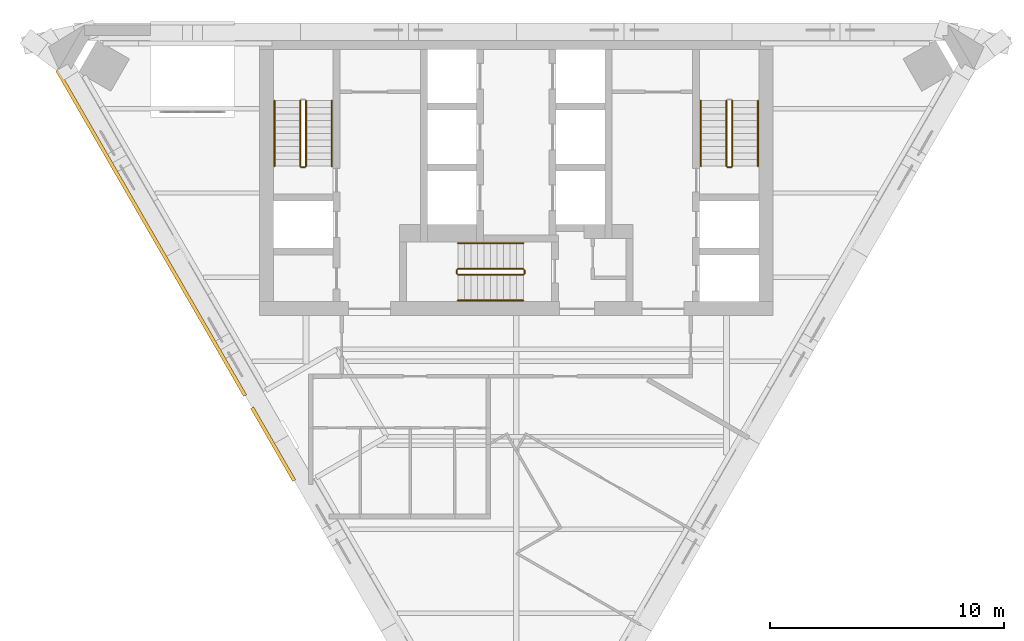
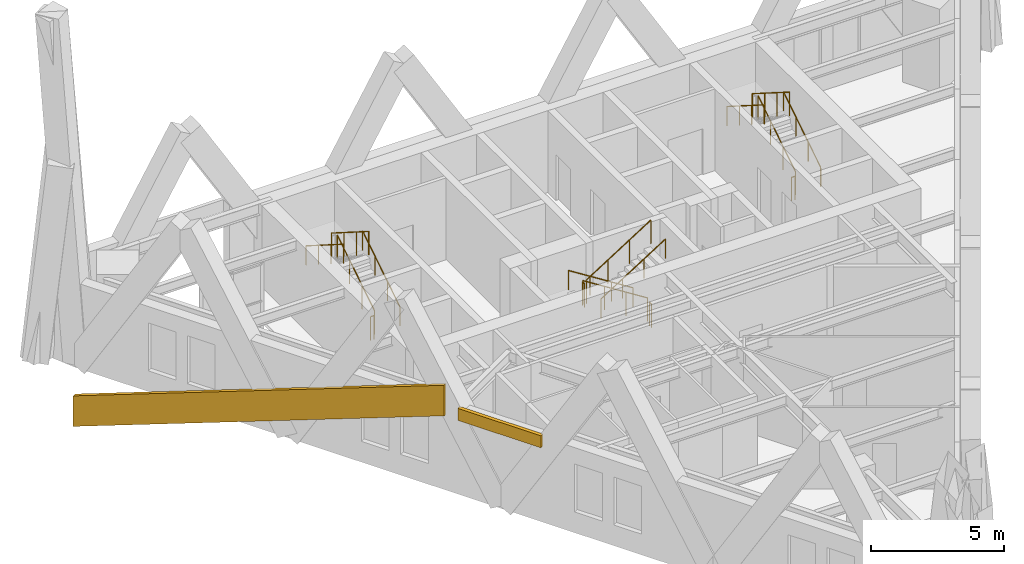
# One storey, part 8 of 9: 16 railings, 2 coverings.
"""IFC4 building model written with IfcOpenShell, lengths in metres."""

from ifc_helpers import new_model, si_unit, direction, frame, origin, origin_2d, place, context, subcontext, project, spatial, polyline, circle, outline, extrude, material, layer, layer_set, type_object, element, save


model = new_model("IFC4")

# Units and contexts
model_context = context("Model", 3, precision=1e-05, world=origin(), true_north=direction((0.0, 1.0)))
body_context = subcontext(model_context, "Body", "Model", "MODEL_VIEW")
ifc_project = project(units=[si_unit("LENGTHUNIT", "METRE"), si_unit("AREAUNIT", "SQUARE_METRE"), si_unit("VOLUMEUNIT", "CUBIC_METRE"), si_unit("PLANEANGLEUNIT", "RADIAN"), si_unit("MASSUNIT", "GRAM", prefix="KILO")], contexts=[model_context])

# Site, building, storey
site_placement = place(None, origin())
site = spatial("IfcSite", under=ifc_project, at=site_placement, CompositionType="ELEMENT")
building_placement = place(site_placement, origin())
building = spatial("IfcBuilding", under=site, at=building_placement, Name="Aloe Facet Convention Tower", CompositionType="ELEMENT")
storey_placement = place(building_placement, frame((0.0, 0.0, 254.300048828125)))
storey = spatial("IfcBuildingStorey", under=building, at=storey_placement, Name="L62", CompositionType="ELEMENT", Elevation=254.300048828125)

# Railings
ifc_material_1 = material(Name="Steel S355 balustrade", Category="steel")
railing_type_1 = type_object("IfcRailingType", Name="CR-RL-GUARD", PredefinedType="GUARDRAIL", material=ifc_material_1)
railing_1_placement = place(storey_placement, frame((71.0, 128.949951171875, 0.17724609375)))
element("IfcRailing", 1, at=railing_1_placement, inside=storey, type_object=railing_type_1, Name="L62 ST1 stair guard 1", PredefinedType="GUARDRAIL", context=body_context, shape_type="SweptSolid", body=[
    extrude(circle(Radius=0.02392578125, at=origin_2d()), frame((0.0, 0.0, 1.076171875), z_axis=(0.0, 0.844908973607, 0.534910110503), x_axis=(-1.0, 0.0, 0.0)), (0.0, 0.0, 1.0), 3.31396484375),
    extrude(circle(Radius=0.02099609375, at=origin_2d()), origin(), (0.0, 0.0, 1.0), 1.052001953125),
    extrude(circle(Radius=0.02099609375, at=origin_2d()), frame((0.0, 0.933349609375, 0.5908203125)), (0.0, 0.0, 1.0), 1.052001953125),
    extrude(circle(Radius=0.02099609375, at=origin_2d()), frame((0.0, 1.86669921875, 1.181884765625)), (0.0, 0.0, 1.0), 1.052001953125),
    extrude(circle(Radius=0.02099609375, at=origin_2d()), frame((0.0, 2.800048828125, 1.772705078125)), (0.0, 0.0, 1.0), 1.052001953125),
])
railing_2_placement = place(storey_placement, frame((70.75, 131.75, 2.127197265625)))
element("IfcRailing", 2, at=railing_2_placement, inside=storey, type_object=railing_type_1, Name="L62 ST1 stair guard 3", PredefinedType="GUARDRAIL", context=body_context, shape_type="SweptSolid", body=[
    extrude(circle(Radius=0.02392578125, at=origin_2d()), frame((0.0, 0.0, 1.076171875), z_axis=(0.0, -0.844908973607, 0.534910110503), x_axis=(1.0, 0.0, 0.0)), (0.0, 0.0, 1.0), 3.31396484375),
    extrude(circle(Radius=0.02099609375, at=origin_2d()), origin(), (0.0, 0.0, 1.0), 1.052001953125),
    extrude(circle(Radius=0.02099609375, at=origin_2d()), frame((0.0, -0.933349609375, 0.5908203125)), (0.0, 0.0, 1.0), 1.052001953125),
    extrude(circle(Radius=0.02099609375, at=origin_2d()), frame((0.0, -1.86669921875, 1.181884765625)), (0.0, 0.0, 1.0), 1.052001953125),
    extrude(circle(Radius=0.02099609375, at=origin_2d()), frame((0.0, -2.800048828125, 1.772705078125)), (0.0, 0.0, 1.0), 1.052001953125),
])
railing_3_placement = place(storey_placement, frame((70.949951171875, 128.89990234375, 0.0)))
element("IfcRailing", 3, at=railing_3_placement, inside=storey, type_object=railing_type_1, Name="L62 ST1 stair guard 4", PredefinedType="GUARDRAIL", context=body_context, shape_type="SweptSolid", body=[
    extrude(circle(Radius=0.02392578125, at=origin_2d()), frame((0.0, 0.0, 1.076171875), z_axis=(-1.0, 0.0, 0.0), x_axis=(0.0, -1.0, 0.0)), (0.0, 0.0, 1.0), 0.14990234375),
    extrude(circle(Radius=0.02099609375, at=origin_2d()), origin(), (0.0, 0.0, 1.0), 1.052001953125),
    extrude(circle(Radius=0.02099609375, at=origin_2d()), frame((-0.14990234375, 0.0, 0.0)), (0.0, 0.0, 1.0), 1.052001953125),
])
railing_4_placement = place(storey_placement, frame((89.25, 128.949951171875, 0.17724609375)))
element("IfcRailing", 4, at=railing_4_placement, inside=storey, type_object=railing_type_1, Name="L62 ST2 stair guard 1", PredefinedType="GUARDRAIL", context=body_context, shape_type="SweptSolid", body=[
    extrude(circle(Radius=0.02392578125, at=origin_2d()), frame((0.0, 0.0, 1.076171875), z_axis=(0.0, 0.844908973607, 0.534910110503), x_axis=(-1.0, 0.0, 0.0)), (0.0, 0.0, 1.0), 3.31396484375),
    extrude(circle(Radius=0.02099609375, at=origin_2d()), origin(), (0.0, 0.0, 1.0), 1.052001953125),
    extrude(circle(Radius=0.02099609375, at=origin_2d()), frame((0.0, 0.933349609375, 0.5908203125)), (0.0, 0.0, 1.0), 1.052001953125),
    extrude(circle(Radius=0.02099609375, at=origin_2d()), frame((0.0, 1.86669921875, 1.181884765625)), (0.0, 0.0, 1.0), 1.052001953125),
    extrude(circle(Radius=0.02099609375, at=origin_2d()), frame((0.0, 2.800048828125, 1.772705078125)), (0.0, 0.0, 1.0), 1.052001953125),
])
railing_5_placement = place(storey_placement, frame((89.0, 131.75, 2.127197265625)))
element("IfcRailing", 5, at=railing_5_placement, inside=storey, type_object=railing_type_1, Name="L62 ST2 stair guard 3", PredefinedType="GUARDRAIL", context=body_context, shape_type="SweptSolid", body=[
    extrude(circle(Radius=0.02392578125, at=origin_2d()), frame((0.0, 0.0, 1.076171875), z_axis=(0.0, -0.844908973607, 0.534910110503), x_axis=(1.0, 0.0, 0.0)), (0.0, 0.0, 1.0), 3.31396484375),
    extrude(circle(Radius=0.02099609375, at=origin_2d()), origin(), (0.0, 0.0, 1.0), 1.052001953125),
    extrude(circle(Radius=0.02099609375, at=origin_2d()), frame((0.0, -0.933349609375, 0.5908203125)), (0.0, 0.0, 1.0), 1.052001953125),
    extrude(circle(Radius=0.02099609375, at=origin_2d()), frame((0.0, -1.86669921875, 1.181884765625)), (0.0, 0.0, 1.0), 1.052001953125),
    extrude(circle(Radius=0.02099609375, at=origin_2d()), frame((0.0, -2.800048828125, 1.772705078125)), (0.0, 0.0, 1.0), 1.052001953125),
])
railing_6_placement = place(storey_placement, frame((89.199951171875, 128.89990234375, 0.0)))
element("IfcRailing", 6, at=railing_6_placement, inside=storey, type_object=railing_type_1, Name="L62 ST2 stair guard 4", PredefinedType="GUARDRAIL", context=body_context, shape_type="SweptSolid", body=[
    extrude(circle(Radius=0.02392578125, at=origin_2d()), frame((0.0, 0.0, 1.076171875), z_axis=(-1.0, 0.0, 0.0), x_axis=(0.0, -1.0, 0.0)), (0.0, 0.0, 1.0), 0.14990234375),
    extrude(circle(Radius=0.02099609375, at=origin_2d()), origin(), (0.0, 0.0, 1.0), 1.052001953125),
    extrude(circle(Radius=0.02099609375, at=origin_2d()), frame((-0.14990234375, 0.0, 0.0)), (0.0, 0.0, 1.0), 1.052001953125),
])
railing_7_placement = place(storey_placement, frame((80.300048828125, 124.550048828125, 0.17724609375)))
element("IfcRailing", 7, at=railing_7_placement, inside=storey, type_object=railing_type_1, Name="L62 ST3 stair guard 1", PredefinedType="GUARDRAIL", context=body_context, shape_type="SweptSolid", body=[
    extrude(circle(Radius=0.02392578125, at=origin_2d()), frame((0.0, 0.0, 1.076171875), z_axis=(-0.844908973607, 0.0, 0.534910110503), x_axis=(0.0, -1.0, 0.0)), (0.0, 0.0, 1.0), 3.31396484375),
    extrude(circle(Radius=0.02099609375, at=origin_2d()), origin(), (0.0, 0.0, 1.0), 1.052001953125),
    extrude(circle(Radius=0.02099609375, at=origin_2d()), frame((-0.933349609375, 0.0, 0.5908203125)), (0.0, 0.0, 1.0), 1.052001953125),
    extrude(circle(Radius=0.02099609375, at=origin_2d()), frame((-1.86669921875, 0.0, 1.181884765625)), (0.0, 0.0, 1.0), 1.052001953125),
    extrude(circle(Radius=0.02099609375, at=origin_2d()), frame((-2.800048828125, 0.0, 1.772705078125)), (0.0, 0.0, 1.0), 1.052001953125),
])
railing_8_placement = place(storey_placement, frame((77.449951171875, 124.5, 1.949951171875)))
element("IfcRailing", 8, at=railing_8_placement, inside=storey, type_object=railing_type_1, Name="L62 ST3 stair guard 2", PredefinedType="GUARDRAIL", context=body_context, shape_type="SweptSolid", body=[
    extrude(circle(Radius=0.02392578125, at=origin_2d()), frame((0.0, 0.0, 1.076171875), z_axis=(0.0, -1.0, 0.0), x_axis=(1.0, 0.0, 0.0)), (0.0, 0.0, 1.0), 0.14990234375),
    extrude(circle(Radius=0.02099609375, at=origin_2d()), origin(), (0.0, 0.0, 1.0), 1.052001953125),
    extrude(circle(Radius=0.02099609375, at=origin_2d()), frame((0.0, -0.14990234375, 0.0)), (0.0, 0.0, 1.0), 1.052001953125),
])
railing_9_placement = place(storey_placement, frame((77.5, 124.300048828125, 2.127197265625)))
element("IfcRailing", 9, at=railing_9_placement, inside=storey, type_object=railing_type_1, Name="L62 ST3 stair guard 3", PredefinedType="GUARDRAIL", context=body_context, shape_type="SweptSolid", body=[
    extrude(circle(Radius=0.02392578125, at=origin_2d()), frame((0.0, 0.0, 1.076171875), z_axis=(0.844908973607, 0.0, 0.534910110503), x_axis=(0.0, 1.0, 0.0)), (0.0, 0.0, 1.0), 3.31396484375),
    extrude(circle(Radius=0.02099609375, at=origin_2d()), origin(), (0.0, 0.0, 1.0), 1.052001953125),
    extrude(circle(Radius=0.02099609375, at=origin_2d()), frame((0.933349609375, 0.0, 0.5908203125)), (0.0, 0.0, 1.0), 1.052001953125),
    extrude(circle(Radius=0.02099609375, at=origin_2d()), frame((1.86669921875, 0.0, 1.181884765625)), (0.0, 0.0, 1.0), 1.052001953125),
    extrude(circle(Radius=0.02099609375, at=origin_2d()), frame((2.800048828125, 0.0, 1.772705078125)), (0.0, 0.0, 1.0), 1.052001953125),
])
railing_10_placement = place(storey_placement, frame((80.35009765625, 124.5, 0.0)))
element("IfcRailing", 10, at=railing_10_placement, inside=storey, type_object=railing_type_1, Name="L62 ST3 stair guard 4", PredefinedType="GUARDRAIL", context=body_context, shape_type="SweptSolid", body=[
    extrude(circle(Radius=0.02392578125, at=origin_2d()), frame((0.0, 0.0, 1.076171875), z_axis=(0.0, -1.0, 0.0), x_axis=(1.0, 0.0, 0.0)), (0.0, 0.0, 1.0), 0.14990234375),
    extrude(circle(Radius=0.02099609375, at=origin_2d()), origin(), (0.0, 0.0, 1.0), 1.052001953125),
    extrude(circle(Radius=0.02099609375, at=origin_2d()), frame((0.0, -0.14990234375, 0.0)), (0.0, 0.0, 1.0), 1.052001953125),
])
ifc_material_2 = material(Name="Steel S355 handrail", Category="steel")
railing_type_2 = type_object("IfcRailingType", Name="CR-RL-HAND", PredefinedType="HANDRAIL", material=ifc_material_2)
railing_11_placement = place(storey_placement, frame((72.10009765625, 128.949951171875, 0.17724609375)))
element("IfcRailing", 11, at=railing_11_placement, inside=storey, type_object=railing_type_2, Name="L62 ST1 stair handrail 1", PredefinedType="HANDRAIL", context=body_context, shape_type="SweptSolid", body=[
    extrude(circle(Radius=0.02392578125, at=origin_2d()), frame((0.0, 0.0, 0.8759765625), z_axis=(0.0, 0.844908973607, 0.534910110503), x_axis=(-1.0, 0.0, 0.0)), (0.0, 0.0, 1.0), 3.31396484375),
    extrude(circle(Radius=0.02099609375, at=origin_2d()), origin(), (0.0, 0.0, 1.0), 0.851806640625),
    extrude(circle(Radius=0.02099609375, at=origin_2d()), frame((0.0, 0.933349609375, 0.5908203125)), (0.0, 0.0, 1.0), 0.851806640625),
    extrude(circle(Radius=0.02099609375, at=origin_2d()), frame((0.0, 1.86669921875, 1.181884765625)), (0.0, 0.0, 1.0), 0.851806640625),
    extrude(circle(Radius=0.02099609375, at=origin_2d()), frame((0.0, 2.800048828125, 1.772705078125)), (0.0, 0.0, 1.0), 0.851806640625),
])
railing_12_placement = place(storey_placement, frame((69.64990234375, 131.75, 2.127197265625)))
element("IfcRailing", 12, at=railing_12_placement, inside=storey, type_object=railing_type_2, Name="L62 ST1 stair handrail 2", PredefinedType="HANDRAIL", context=body_context, shape_type="SweptSolid", body=[
    extrude(circle(Radius=0.02392578125, at=origin_2d()), frame((0.0, 0.0, 0.8759765625), z_axis=(0.0, -0.844908973607, 0.534910110503), x_axis=(1.0, 0.0, 0.0)), (0.0, 0.0, 1.0), 3.31396484375),
    extrude(circle(Radius=0.02099609375, at=origin_2d()), origin(), (0.0, 0.0, 1.0), 0.851806640625),
    extrude(circle(Radius=0.02099609375, at=origin_2d()), frame((0.0, -0.933349609375, 0.5908203125)), (0.0, 0.0, 1.0), 0.851806640625),
    extrude(circle(Radius=0.02099609375, at=origin_2d()), frame((0.0, -1.86669921875, 1.181884765625)), (0.0, 0.0, 1.0), 0.851806640625),
    extrude(circle(Radius=0.02099609375, at=origin_2d()), frame((0.0, -2.800048828125, 1.772705078125)), (0.0, 0.0, 1.0), 0.851806640625),
])
railing_13_placement = place(storey_placement, frame((90.35009765625, 128.949951171875, 0.17724609375)))
element("IfcRailing", 13, at=railing_13_placement, inside=storey, type_object=railing_type_2, Name="L62 ST2 stair handrail 1", PredefinedType="HANDRAIL", context=body_context, shape_type="SweptSolid", body=[
    extrude(circle(Radius=0.02392578125, at=origin_2d()), frame((0.0, 0.0, 0.8759765625), z_axis=(0.0, 0.844908973607, 0.534910110503), x_axis=(-1.0, 0.0, 0.0)), (0.0, 0.0, 1.0), 3.31396484375),
    extrude(circle(Radius=0.02099609375, at=origin_2d()), origin(), (0.0, 0.0, 1.0), 0.851806640625),
    extrude(circle(Radius=0.02099609375, at=origin_2d()), frame((0.0, 0.933349609375, 0.5908203125)), (0.0, 0.0, 1.0), 0.851806640625),
    extrude(circle(Radius=0.02099609375, at=origin_2d()), frame((0.0, 1.86669921875, 1.181884765625)), (0.0, 0.0, 1.0), 0.851806640625),
    extrude(circle(Radius=0.02099609375, at=origin_2d()), frame((0.0, 2.800048828125, 1.772705078125)), (0.0, 0.0, 1.0), 0.851806640625),
])
railing_14_placement = place(storey_placement, frame((87.89990234375, 131.75, 2.127197265625)))
element("IfcRailing", 14, at=railing_14_placement, inside=storey, type_object=railing_type_2, Name="L62 ST2 stair handrail 2", PredefinedType="HANDRAIL", context=body_context, shape_type="SweptSolid", body=[
    extrude(circle(Radius=0.02392578125, at=origin_2d()), frame((0.0, 0.0, 0.8759765625), z_axis=(0.0, -0.844908973607, 0.534910110503), x_axis=(1.0, 0.0, 0.0)), (0.0, 0.0, 1.0), 3.31396484375),
    extrude(circle(Radius=0.02099609375, at=origin_2d()), origin(), (0.0, 0.0, 1.0), 0.851806640625),
    extrude(circle(Radius=0.02099609375, at=origin_2d()), frame((0.0, -0.933349609375, 0.5908203125)), (0.0, 0.0, 1.0), 0.851806640625),
    extrude(circle(Radius=0.02099609375, at=origin_2d()), frame((0.0, -1.86669921875, 1.181884765625)), (0.0, 0.0, 1.0), 0.851806640625),
    extrude(circle(Radius=0.02099609375, at=origin_2d()), frame((0.0, -2.800048828125, 1.772705078125)), (0.0, 0.0, 1.0), 0.851806640625),
])
railing_15_placement = place(storey_placement, frame((80.300048828125, 125.64990234375, 0.17724609375)))
element("IfcRailing", 15, at=railing_15_placement, inside=storey, type_object=railing_type_2, Name="L62 ST3 stair handrail 1", PredefinedType="HANDRAIL", context=body_context, shape_type="SweptSolid", body=[
    extrude(circle(Radius=0.02392578125, at=origin_2d()), frame((0.0, 0.0, 0.8759765625), z_axis=(-0.844908973607, 0.0, 0.534910110503), x_axis=(0.0, -1.0, 0.0)), (0.0, 0.0, 1.0), 3.31396484375),
    extrude(circle(Radius=0.02099609375, at=origin_2d()), origin(), (0.0, 0.0, 1.0), 0.851806640625),
    extrude(circle(Radius=0.02099609375, at=origin_2d()), frame((-0.933349609375, 0.0, 0.5908203125)), (0.0, 0.0, 1.0), 0.851806640625),
    extrude(circle(Radius=0.02099609375, at=origin_2d()), frame((-1.86669921875, 0.0, 1.181884765625)), (0.0, 0.0, 1.0), 0.851806640625),
    extrude(circle(Radius=0.02099609375, at=origin_2d()), frame((-2.800048828125, 0.0, 1.772705078125)), (0.0, 0.0, 1.0), 0.851806640625),
])
railing_16_placement = place(storey_placement, frame((77.5, 123.199951171875, 2.127197265625)))
element("IfcRailing", 16, at=railing_16_placement, inside=storey, type_object=railing_type_2, Name="L62 ST3 stair handrail 2", PredefinedType="HANDRAIL", context=body_context, shape_type="SweptSolid", body=[
    extrude(circle(Radius=0.02392578125, at=origin_2d()), frame((0.0, 0.0, 0.8759765625), z_axis=(0.844908973607, 0.0, 0.534910110503), x_axis=(0.0, 1.0, 0.0)), (0.0, 0.0, 1.0), 3.31396484375),
    extrude(circle(Radius=0.02099609375, at=origin_2d()), origin(), (0.0, 0.0, 1.0), 0.851806640625),
    extrude(circle(Radius=0.02099609375, at=origin_2d()), frame((0.933349609375, 0.0, 0.5908203125)), (0.0, 0.0, 1.0), 0.851806640625),
    extrude(circle(Radius=0.02099609375, at=origin_2d()), frame((1.86669921875, 0.0, 1.181884765625)), (0.0, 0.0, 1.0), 0.851806640625),
    extrude(circle(Radius=0.02099609375, at=origin_2d()), frame((2.800048828125, 0.0, 1.772705078125)), (0.0, 0.0, 1.0), 0.851806640625),
])

# Coverings
ifc_material_3 = material(Name="Bronze oxide fascia sheet")
ifc_layer = layer(ifc_material_3, 0.14990234375)
ifc_layer_set = layer_set([ifc_layer], Name="EV-FASCIA-TERR")
covering_type = type_object("IfcCoveringType", Name="EV-FASCIA-TERR", PredefinedType="CLADDING", material=ifc_layer_set)
covering_1_placement = place(storey_placement, frame((0.0, 0.0, 3.349853515625)))
element("IfcCovering", 17, at=covering_1_placement, inside=storey, type_object=covering_type, Name="Terrace fascia T14 sill", PredefinedType="CLADDING", context=body_context, shape_type="SweptSolid", body=[
    extrude(outline(polyline([(68.626953125, 118.569091796875), (70.427001953125, 115.451416015625), (70.556884765625, 115.5263671875), (68.7568359375, 118.64404296875), (68.626953125, 118.569091796875)])), origin(), (0.0, 0.0, 1.0), 0.550048828125),
])
covering_2_placement = place(storey_placement, frame((60.283935546875, 133.019775390625, -2.768310546875), z_axis=(-0.866030405307, -0.499991337009, 0.0), x_axis=(0.467331561836, -0.80946070852, 0.355492014923)))
element("IfcCovering", 18, at=covering_2_placement, inside=storey, type_object=covering_type, Name="Spiral ribbon zone 5 part 5", PredefinedType="CLADDING", context=body_context, shape_type="SweptSolid", body=[
    extrude(outline(polyline([(0.0, 0.0), (17.210412064616996, 0.0), (17.708152959534345, 1.3086879609878546), (0.4976541048746456, 1.3084597677950052), (0.0, 0.0)])), origin(), (0.0, 0.0, -1.0), 0.14990234375),
])

save(model, "model.ifc")
